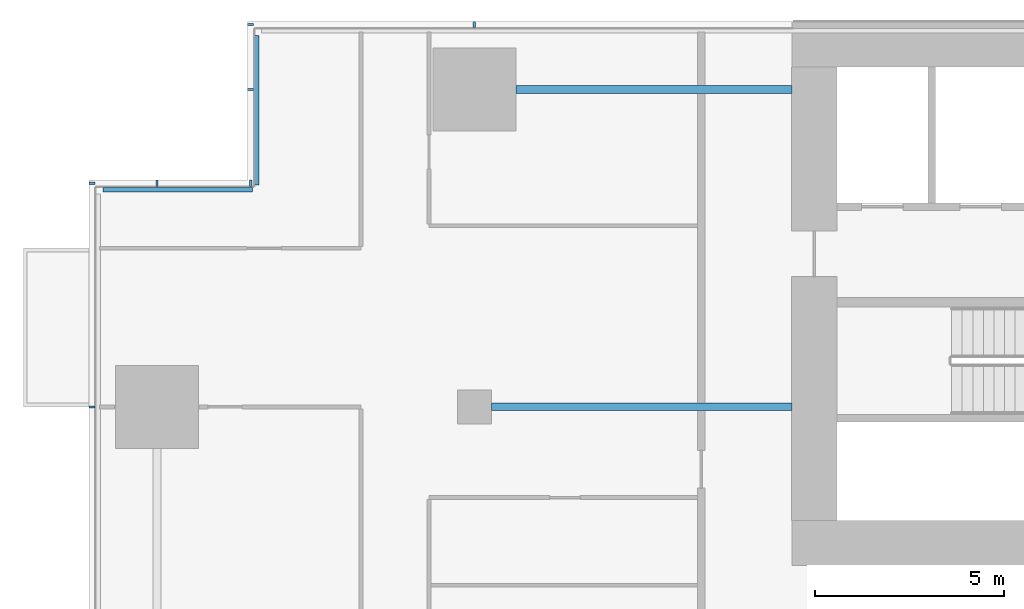
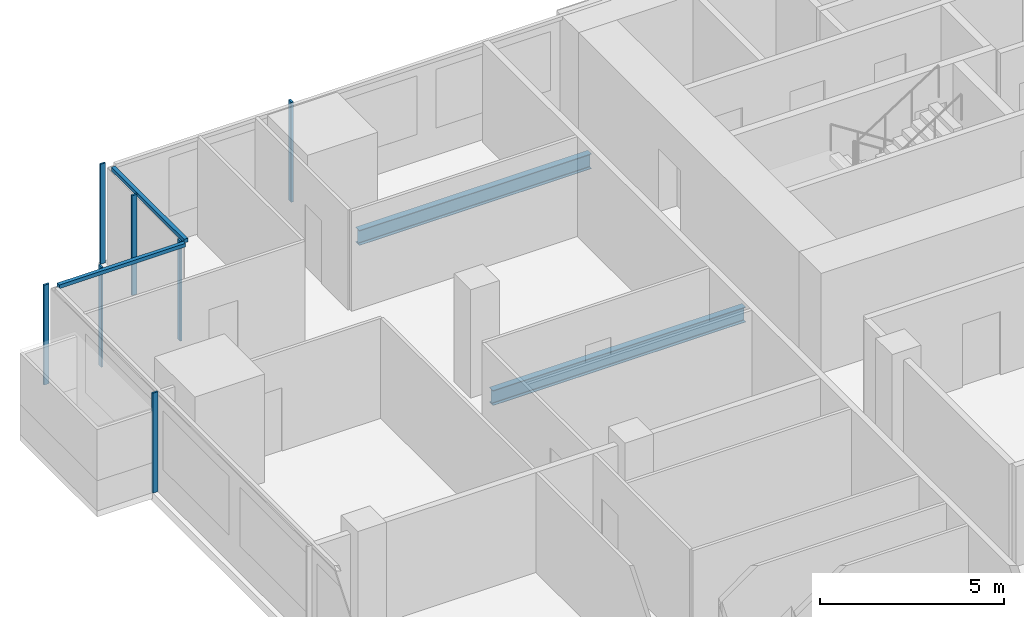
# One storey, part 8 of 29: 9 members, 2 beams, 4 elements without a shape of their own.
"""IFC4 building model written with IfcOpenShell, lengths in metres."""

import ifcopenshell
import ifcopenshell.guid

model = None  # the IFC model being written
_history = None  # IfcOwnerHistory: only IFC2X3 demands one
_inside = {}  # id of a spatial element -> (the spatial element, [elements in it])
_under = {}  # id of a project, library or spatial element -> (it, [spatial elements below it])
_declared = {}  # id of a project -> (the project, [libraries it declares])
_typed = {}  # id of a type object -> (the type object, [elements of that type])
_made_of = {}  # id of a material, layer set ... -> (it, [elements and type objects made of it])


def new_model(schema):
    """Start an empty IFC model of exactly this schema.

    Asked for "IFC4X3", IfcOpenShell would pick the latest addendum, in which some entities
    have other attributes; the version numbers below select the first issue.
    IFC2X3 requires an IfcOwnerHistory on every rooted entity: one is made here for all.
    """
    global model, _history
    if schema == "IFC4X3":
        model = ifcopenshell.file(schema_version=(4, 3, 0, 0))
    else:
        model = ifcopenshell.file(schema=schema)
    _inside.clear()
    _under.clear()
    _declared.clear()
    _typed.clear()
    _made_of.clear()
    _history = None
    if model.schema == "IFC2X3":
        org = make("IfcOrganization", Name="unknown")
        user = make(
            "IfcPersonAndOrganization",
            ThePerson=make("IfcPerson", FamilyName="unknown"),
            TheOrganization=org,
        )
        app = make(
            "IfcApplication",
            ApplicationDeveloper=org,
            Version="unknown",
            ApplicationFullName="unknown",
            ApplicationIdentifier="unknown",
        )
        _history = make(
            "IfcOwnerHistory",
            OwningUser=user,
            OwningApplication=app,
            ChangeAction="ADDED",
            CreationDate=0,
        )
    return model


def make(cls, **values):
    """One entity of the class cls with the attributes given. An attribute that is None is left unset."""
    return model.create_entity(
        cls, **{name: value for name, value in values.items() if value is not None}
    )


def rooted(cls, **values):
    """An entity with a GlobalId (a new one), such as an element, a storey or a relation."""
    return make(cls, GlobalId=ifcopenshell.guid.new(), OwnerHistory=_history, **values)


def si_unit(unit_type, name, prefix=None):
    """IfcSIUnit, for example si_unit("LENGTHUNIT", "METRE", prefix="MILLI")."""
    return make("IfcSIUnit", UnitType=unit_type, Prefix=prefix, Name=name)


def assignment(units):
    """IfcUnitAssignment: the units of a project."""
    return None if units is None else make("IfcUnitAssignment", Units=units)


def point(xyz):
    """IfcCartesianPoint."""
    return None if xyz is None else make("IfcCartesianPoint", Coordinates=xyz)


def direction(xyz):
    """IfcDirection."""
    return None if xyz is None else make("IfcDirection", DirectionRatios=xyz)


def frame(location, z_axis=None, x_axis=None):
    """IfcAxis2Placement3D, a coordinate frame: its origin and axes. An axis left out is left unset."""
    return make(
        "IfcAxis2Placement3D",
        Location=point(location),
        Axis=direction(z_axis),
        RefDirection=direction(x_axis),
    )


def frame_2d(location, x_axis=None):
    """IfcAxis2Placement2D, a coordinate frame in the plane: its origin and x axis."""
    return make(
        "IfcAxis2Placement2D", Location=point(location), RefDirection=direction(x_axis)
    )


def origin():
    """The frame at (0, 0, 0) with its axes left unset."""
    return frame((0.0, 0.0, 0.0))


def origin_2d():
    """The frame at (0, 0) in the plane with its x axis left unset."""
    return frame_2d((0.0, 0.0))


def place(relative_to, where):
    """IfcLocalPlacement: puts the frame where relative to a parent placement (None: the world)."""
    return make(
        "IfcLocalPlacement", PlacementRelTo=relative_to, RelativePlacement=where
    )


def context(
    kind, dimensions, precision=None, world=None, true_north=None, identifier=None
):
    """IfcGeometricRepresentationContext, for example the 3D "Model" context."""
    return make(
        "IfcGeometricRepresentationContext",
        ContextIdentifier=identifier,
        ContextType=kind,
        CoordinateSpaceDimension=dimensions,
        Precision=precision,
        WorldCoordinateSystem=world,
        TrueNorth=true_north,
    )


def subcontext(parent, identifier, kind, view, scale=None):
    """IfcGeometricRepresentationSubContext, for example "Body" below "Model"."""
    return make(
        "IfcGeometricRepresentationSubContext",
        ContextIdentifier=identifier,
        ContextType=kind,
        ParentContext=parent,
        TargetScale=scale,
        TargetView=view,
    )


def project(units=None, contexts=None):
    """IfcProject with its units and contexts."""
    return rooted(
        "IfcProject",
        Name="project",
        RepresentationContexts=contexts,
        UnitsInContext=assignment(units),
    )


def spatial(cls, under=None, at=None, **own):
    """A site, building, storey or space (cls), placed at a placement, below another one or the project."""
    s = rooted(cls, ObjectPlacement=at, **own)
    if under is not None:
        _under.setdefault(under.id(), (under, []))[1].append(s)
    return s


def profile(cls, at=None, kind="AREA", **sizes):
    """A parametric profile (cls). Its sizes go by their IFC names, for example OverallWidth=200.0."""
    return make(cls, ProfileType=kind, Position=at, **sizes)


def rectangle(**sizes):
    """IfcRectangleProfileDef."""
    return profile("IfcRectangleProfileDef", **sizes)


def i_section(**sizes):
    """IfcIShapeProfileDef."""
    return profile("IfcIShapeProfileDef", **sizes)


def extrude(swept, where, along, depth):
    """IfcExtrudedAreaSolid: the profile swept, set in the frame where, extruded along a direction by depth."""
    return make(
        "IfcExtrudedAreaSolid",
        SweptArea=swept,
        Position=where,
        ExtrudedDirection=direction(along),
        Depth=depth,
    )


def shape(context_of_items, identifier, shape_type, items):
    """IfcShapeRepresentation: the items that make up one representation, for example the "Body"."""
    return make(
        "IfcShapeRepresentation",
        ContextOfItems=context_of_items,
        RepresentationIdentifier=identifier,
        RepresentationType=shape_type,
        Items=items,
    )


def material(Name=None, Category=None):
    """IfcMaterial."""
    return make("IfcMaterial", Name=Name, Category=Category)


def material_profile(
    of_material, cross_section, Name=None, Category=None, Priority=None
):
    """IfcMaterialProfile: a cross section and its material."""
    return make(
        "IfcMaterialProfile",
        Name=Name,
        Material=of_material,
        Profile=cross_section,
        Priority=Priority,
        Category=Category,
    )


def profile_set(profiles, Name=None, composite=None):
    """IfcMaterialProfileSet."""
    return make(
        "IfcMaterialProfileSet",
        Name=Name,
        MaterialProfiles=profiles,
        CompositeProfile=composite,
    )


def made_of(thing, what):
    """Note that an element or type object is made of a material, layer set ...; save() writes the relation."""
    if what is not None:
        _made_of.setdefault(what.id(), (what, []))[1].append(thing)
    return thing


def type_object(cls, material=None, **own):
    """A type object (cls), such as IfcWallType, which elements share."""
    return made_of(rooted(cls, **own), material)


def element(
    cls,
    number,
    at=None,
    inside=None,
    cuts=None,
    type_object=None,
    material=None,
    context=None,
    identifier="Body",
    shape_type=None,
    held_by="IfcProductDefinitionShape",
    body=None,
    shapes=None,
    **own,
):
    """One element of the class cls, such as IfcWall. Its Tag is "e" and its number.

    at: its placement. inside: the storey or other place that contains it. cuts: it is an
    opening in that element (IfcRelVoidsElement). A single representation is given by context,
    identifier, shape_type and body (its items); several are given by shapes. held_by: the class
    of the entity that holds the representations. save() writes the other relations.
    """
    e = rooted(cls, Tag="e%d" % number, ObjectPlacement=at, **own)
    if body is not None:
        shapes = [shape(context, identifier, shape_type, body)]
    if shapes is not None:
        e.Representation = make(held_by, Representations=shapes)
    if inside is not None:
        _inside.setdefault(inside.id(), (inside, []))[1].append(e)
    if cuts is not None:
        rooted(
            "IfcRelVoidsElement", RelatingBuildingElement=cuts, RelatedOpeningElement=e
        )
    if type_object is not None:
        _typed.setdefault(type_object.id(), (type_object, []))[1].append(e)
    return made_of(e, material)


def aggregate(whole, parts):
    """IfcRelAggregates: a whole, such as a stair, and the parts it consists of."""
    return rooted("IfcRelAggregates", RelatingObject=whole, RelatedObjects=parts)


def save(model, path):
    """Write the relations noted so far, then the file.

    IfcRelAggregates (storeys below a building ...), IfcRelContainedInSpatialStructure (elements
    in a storey), IfcRelDefinesByType, IfcRelAssociatesMaterial and IfcRelDeclares: one each for
    every whole, place, type object, material and project.
    """
    for whole, parts in _under.values():
        aggregate(whole, parts)
    for where, things in _inside.values():
        rooted(
            "IfcRelContainedInSpatialStructure",
            RelatedElements=things,
            RelatingStructure=where,
        )
    for kind, things in _typed.values():
        rooted("IfcRelDefinesByType", RelatedObjects=things, RelatingType=kind)
    for what, things in _made_of.values():
        rooted("IfcRelAssociatesMaterial", RelatedObjects=things, RelatingMaterial=what)
    for by, libraries in _declared.values():
        rooted("IfcRelDeclares", RelatingContext=by, RelatedDefinitions=libraries)
    model.write(path)


model = new_model("IFC4")

# Units and contexts
model_context = context("Model", 3, precision=1e-05, world=origin(), true_north=direction((0.0, 1.0)))
body_context = subcontext(model_context, "Body", "Model", "MODEL_VIEW")
ifc_project = project(units=[si_unit("LENGTHUNIT", "METRE"), si_unit("AREAUNIT", "SQUARE_METRE"), si_unit("VOLUMEUNIT", "CUBIC_METRE"), si_unit("PLANEANGLEUNIT", "RADIAN"), si_unit("MASSUNIT", "GRAM", prefix="KILO")], contexts=[model_context])

# Site, building, storey
site_placement = place(None, origin())
site = spatial("IfcSite", under=ifc_project, at=site_placement, CompositionType="ELEMENT")
building_placement = place(site_placement, origin())
building = spatial("IfcBuilding", under=site, at=building_placement, Name="Saffron Gate Tower", CompositionType="ELEMENT")
storey_placement = place(building_placement, frame((0.0, 0.0, 55.199951171875)))
storey = spatial("IfcBuildingStorey", under=building, at=storey_placement, Name="L12", CompositionType="ELEMENT", Elevation=55.199951171875)

# Beams
ifc_material_1 = material(Name="Structural steel S355", Category="steel")
ifc_material_profile_1 = material_profile(ifc_material_1, i_section(OverallWidth=0.199951171875, OverallDepth=0.5, WebThickness=0.01025390625, FlangeThickness=0.01611328125, FilletRadius=0.02099609375, at=origin_2d()))
ifc_profile_set_1 = profile_set([ifc_material_profile_1], Name="Structural steel S355")
beam_type = type_object("IfcBeamType", Name="B10 IPE 500", PredefinedType="BEAM", material=ifc_profile_set_1)
beam_1_placement = place(storey_placement, frame((58.64990234375, 65.39990234375, -0.530029296875), z_axis=(1.0, 0.0, 0.0), x_axis=(0.0, 1.0, 0.0)))
element("IfcBeam", 1, at=beam_1_placement, inside=storey, type_object=beam_type, Name="B10 CORE TIE BEAM", PredefinedType="BEAM", context=body_context, shape_type="SweptSolid", body=[
    extrude(i_section(OverallWidth=0.199951171875, OverallDepth=0.5, WebThickness=0.01025390625, FlangeThickness=0.01611328125, FilletRadius=0.02099609375, at=origin_2d()), origin(), (0.0, 0.0, 1.0), 7.9501953125),
])
beam_2_placement = place(storey_placement, frame((59.300048828125, 73.800048828125, -0.530029296875), z_axis=(1.0, 0.0, 0.0), x_axis=(0.0, 1.0, 0.0)))
element("IfcBeam", 2, at=beam_2_placement, inside=storey, type_object=beam_type, Name="B10 CORE TIE BEAM", PredefinedType="BEAM", context=body_context, shape_type="SweptSolid", body=[
    extrude(i_section(OverallWidth=0.199951171875, OverallDepth=0.5, WebThickness=0.01025390625, FlangeThickness=0.01611328125, FilletRadius=0.02099609375, at=origin_2d()), origin(), (0.0, 0.0, 1.0), 7.300048828125),
])

# Curtain wall, members
ifc_material_2 = material(Name="Aluminium, bronze anodised", Category="aluminium")
curtain_wall_type_1 = type_object("IfcCurtainWallType", Name="CWS2 curtain wall side facades", PredefinedType="NOTDEFINED", material=ifc_material_2)
curtain_wall_1_placement = place(storey_placement, origin())
curtain_wall_1 = element("IfcCurtainWall", 3, at=curtain_wall_1_placement, inside=storey, type_object=curtain_wall_type_1, Name="CWS2 run 10", PredefinedType="NOTDEFINED")
ifc_material_profile_2 = material_profile(ifc_material_2, rectangle(XDim=0.159912109375, YDim=0.06005859375, at=origin_2d()))
ifc_profile_set_2 = profile_set([ifc_material_profile_2], Name="Aluminium, bronze anodised")
member_type_1 = type_object("IfcMemberType", Name="CWS2 mullion 60x160", PredefinedType="MULLION", material=ifc_profile_set_2)
member_1_placement = place(storey_placement, frame((48.080078125, 71.320068359375, 0.0), z_axis=(0.0, 0.0, 1.0), x_axis=(1.0, 0.0, 0.0)))
member_1 = element("IfcMember", 4, at=member_1_placement, type_object=member_type_1, Name="CWS2 mullion 1", PredefinedType="MULLION", context=body_context, shape_type="SweptSolid", body=[
    extrude(rectangle(XDim=0.159912109375, YDim=0.06005859375, at=origin_2d()), origin(), (0.0, 0.0, 1.0), 3.320068359375),
])
member_2_placement = place(storey_placement, frame((48.080078125, 65.39990234375, 0.0), z_axis=(0.0, 0.0, 1.0), x_axis=(1.0, 0.0, 0.0)))
member_2 = element("IfcMember", 5, at=member_2_placement, type_object=member_type_1, Name="CWS2 mullion 2", PredefinedType="MULLION", context=body_context, shape_type="SweptSolid", body=[
    extrude(rectangle(XDim=0.159912109375, YDim=0.06005859375, at=origin_2d()), origin(), (0.0, 0.0, 1.0), 3.320068359375),
])
aggregate(curtain_wall_1, [member_1, member_2])

# Curtain wall, member
curtain_wall_type_2 = type_object("IfcCurtainWallType", Name="CWS3 curtain wall rear facade", PredefinedType="NOTDEFINED", material=ifc_material_2)
curtain_wall_2_placement = place(storey_placement, origin())
curtain_wall_2 = element("IfcCurtainWall", 6, at=curtain_wall_2_placement, inside=storey, type_object=curtain_wall_type_2, Name="CWS3 run 7", PredefinedType="NOTDEFINED")
ifc_material_profile_3 = material_profile(ifc_material_2, rectangle(XDim=0.159912109375, YDim=0.070068359375, at=origin_2d()))
ifc_profile_set_3 = profile_set([ifc_material_profile_3], Name="Aluminium, bronze anodised")
member_type_2 = type_object("IfcMemberType", Name="CWS3 mullion 70x160", PredefinedType="MULLION", material=ifc_profile_set_3)
member_3_placement = place(storey_placement, frame((58.199951171875, 75.52001953125, 0.0), z_axis=(0.0, 0.0, 1.0), x_axis=(0.0, -1.0, 0.0)))
member_3 = element("IfcMember", 7, at=member_3_placement, type_object=member_type_2, Name="CWS3 mullion 9", PredefinedType="MULLION", context=body_context, shape_type="SweptSolid", body=[
    extrude(rectangle(XDim=0.159912109375, YDim=0.070068359375, at=origin_2d()), origin(), (0.0, 0.0, 1.0), 3.320068359375),
])
aggregate(curtain_wall_2, [member_3])

curtain_wall_type_3 = type_object("IfcCurtainWallType", Name="CWS4 curtain wall corner returns", PredefinedType="NOTDEFINED", material=ifc_material_2)
curtain_wall_3_placement = place(storey_placement, origin())
curtain_wall_3 = element("IfcCurtainWall", 8, at=curtain_wall_3_placement, inside=storey, type_object=curtain_wall_type_3, Name="CWS4 run 8", PredefinedType="NOTDEFINED")
ifc_material_profile_4 = material_profile(ifc_material_2, rectangle(XDim=0.1201171875, YDim=0.1201171875, at=origin_2d()))
ifc_profile_set_4 = profile_set([ifc_material_profile_4], Name="Aluminium, bronze anodised")
member_type_3 = type_object("IfcMemberType", Name="CWS4 head transom", PredefinedType="USERDEFINED", material=ifc_profile_set_4)
member_4_placement = place(storey_placement, frame((52.447998046875, 75.23193359375, 3.260009765625), z_axis=(0.0, -1.0, 0.0), x_axis=(1.0, 0.0, 0.0)))
member_4 = element("IfcMember", 9, at=member_4_placement, type_object=member_type_3, Name="CWS4 head transom", ObjectType="TRANSOM", PredefinedType="USERDEFINED", context=body_context, shape_type="SweptSolid", body=[
    extrude(rectangle(XDim=0.1201171875, YDim=0.1201171875, at=origin_2d()), origin(), (0.0, 0.0, 1.0), 3.9599609375),
])

curtain_wall_4_placement = place(storey_placement, origin())
curtain_wall_4 = element("IfcCurtainWall", 10, at=curtain_wall_4_placement, inside=storey, type_object=curtain_wall_type_3, Name="CWS4 run 9", PredefinedType="NOTDEFINED")
member_5_placement = place(storey_placement, frame((52.327880859375, 71.152099609375, 3.260009765625), z_axis=(-1.0, 0.0, 0.0), x_axis=(0.0, -1.0, 0.0)))
member_5 = element("IfcMember", 11, at=member_5_placement, type_object=member_type_3, Name="CWS4 head transom", ObjectType="TRANSOM", PredefinedType="USERDEFINED", context=body_context, shape_type="SweptSolid", body=[
    extrude(rectangle(XDim=0.1201171875, YDim=0.1201171875, at=origin_2d()), origin(), (0.0, 0.0, 1.0), 3.9599609375),
])

# Member
ifc_material_profile_5 = material_profile(ifc_material_2, rectangle(XDim=0.159912109375, YDim=0.06005859375, at=origin_2d()))
ifc_profile_set_5 = profile_set([ifc_material_profile_5], Name="Aluminium, bronze anodised")
member_type_4 = type_object("IfcMemberType", Name="CWS4 mullion 60x160", PredefinedType="MULLION", material=ifc_profile_set_5)
member_6_placement = place(storey_placement, frame((52.280029296875, 75.52001953125, 0.0), z_axis=(0.0, 0.0, 1.0), x_axis=(1.0, 0.0, 0.0)))
member_6 = element("IfcMember", 12, at=member_6_placement, type_object=member_type_4, Name="CWS4 mullion 1", PredefinedType="MULLION", context=body_context, shape_type="SweptSolid", body=[
    extrude(rectangle(XDim=0.159912109375, YDim=0.06005859375, at=origin_2d()), origin(), (0.0, 0.0, 1.0), 3.320068359375),
])

member_7_placement = place(storey_placement, frame((52.280029296875, 73.800048828125, 0.0), z_axis=(0.0, 0.0, 1.0), x_axis=(1.0, 0.0, 0.0)))
member_7 = element("IfcMember", 13, at=member_7_placement, type_object=member_type_4, Name="CWS4 mullion 2", PredefinedType="MULLION", context=body_context, shape_type="SweptSolid", body=[
    extrude(rectangle(XDim=0.159912109375, YDim=0.06005859375, at=origin_2d()), origin(), (0.0, 0.0, 1.0), 3.320068359375),
])

aggregate(curtain_wall_3, [member_6, member_7, member_4])

member_8_placement = place(storey_placement, frame((52.280029296875, 71.320068359375, 0.0), z_axis=(0.0, 0.0, 1.0), x_axis=(0.0, -1.0, 0.0)))
member_8 = element("IfcMember", 14, at=member_8_placement, type_object=member_type_4, Name="CWS4 mullion 1", PredefinedType="MULLION", context=body_context, shape_type="SweptSolid", body=[
    extrude(rectangle(XDim=0.159912109375, YDim=0.06005859375, at=origin_2d()), origin(), (0.0, 0.0, 1.0), 3.320068359375),
])

member_9_placement = place(storey_placement, frame((49.800048828125, 71.320068359375, 0.0), z_axis=(0.0, 0.0, 1.0), x_axis=(0.0, -1.0, 0.0)))
member_9 = element("IfcMember", 15, at=member_9_placement, type_object=member_type_4, Name="CWS4 mullion 2", PredefinedType="MULLION", context=body_context, shape_type="SweptSolid", body=[
    extrude(rectangle(XDim=0.159912109375, YDim=0.06005859375, at=origin_2d()), origin(), (0.0, 0.0, 1.0), 3.320068359375),
])

aggregate(curtain_wall_4, [member_8, member_9, member_5])

save(model, "model.ifc")
